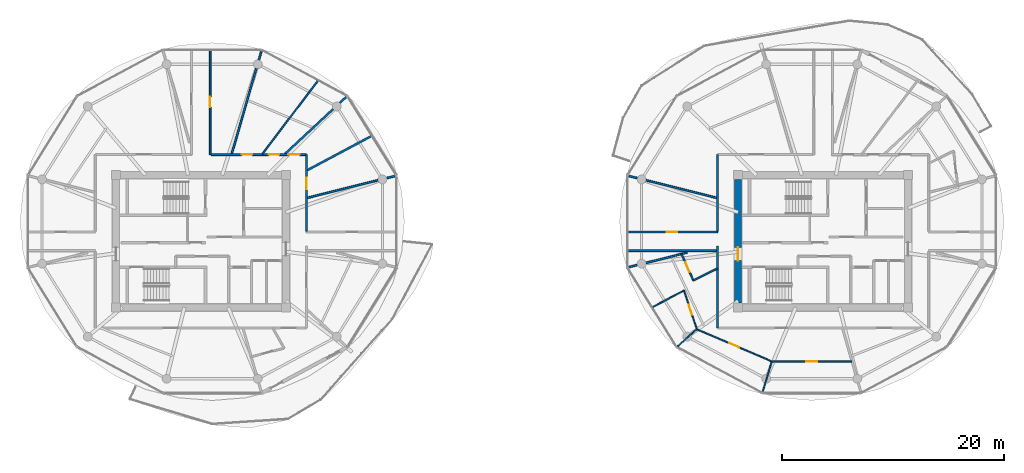
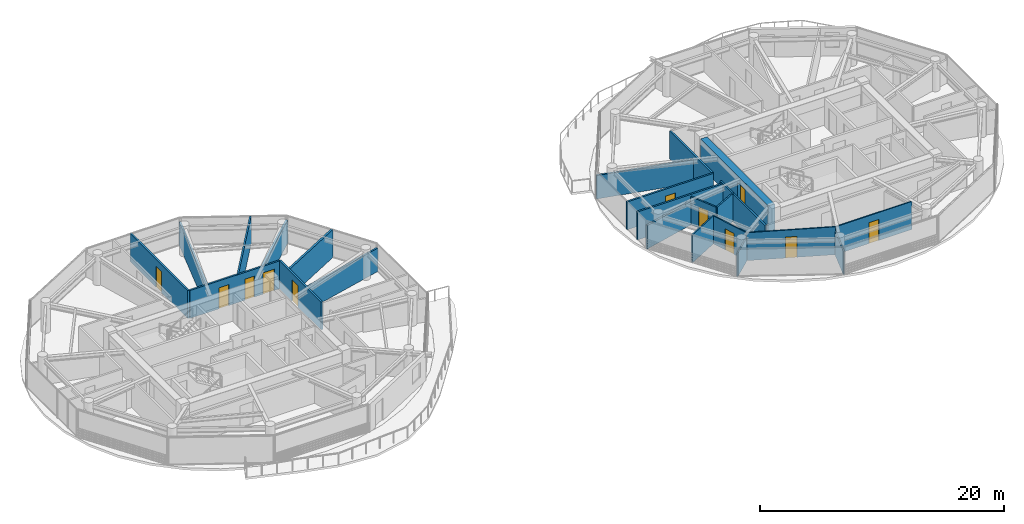
# One storey, part 14 of 22: 23 walls, 11 doors, 11 openings.
"""IFC4 building model written with IfcOpenShell, lengths in metres."""

from ifc_helpers import new_model, si_unit, direction, frame, frame_2d, origin, place, context, subcontext, project, spatial, rectangle, extrude, source, transform, mapped, material, layer, layer_set, type_object, type_shapes, element, fill, save


model = new_model("IFC4")

# Units and contexts
model_context = context("Model", 3, precision=1e-05, world=origin(), true_north=direction((0.0, 1.0)))
body_context = subcontext(model_context, "Body", "Model", "MODEL_VIEW")
ifc_project = project(units=[si_unit("LENGTHUNIT", "METRE"), si_unit("AREAUNIT", "SQUARE_METRE"), si_unit("VOLUMEUNIT", "CUBIC_METRE"), si_unit("PLANEANGLEUNIT", "RADIAN"), si_unit("MASSUNIT", "GRAM", prefix="KILO")], contexts=[model_context])

# Site, building, storey
site_placement = place(None, origin())
site = spatial("IfcSite", under=ifc_project, at=site_placement, CompositionType="ELEMENT")
building_placement = place(site_placement, origin())
building = spatial("IfcBuilding", under=site, at=building_placement, Name="Norrkilde Senior Care Towers", CompositionType="ELEMENT")
storey_placement = place(building_placement, frame((0.0, 0.0, 180.050048828125)))
storey = spatial("IfcBuildingStorey", under=building, at=storey_placement, Name="L56", CompositionType="ELEMENT", Elevation=180.050048828125)

# Wall, opening, door
ifc_material_1 = material(Name="Concrete C50/60", Category="concrete")
ifc_layer_1 = layer(ifc_material_1, 0.6201171875)
ifc_layer_set_1 = layer_set([ifc_layer_1], Name="Concrete C50/60")
wall_type_1 = type_object("IfcWallType", Name="Core Shear Wall Z3 620", PredefinedType="SHEAR", material=ifc_layer_set_1)
shared_shape_1 = source(origin(), body_context, "Body", "SweptSolid", [
    extrude(rectangle(XDim=11.10009765625, YDim=0.6201171875, at=frame_2d((5.550048828125, 0.0))), origin(), (0.0, 0.0, 1.0), 2.81005859375),
])
type_shapes(wall_type_1, [shared_shape_1])
wall_1_placement = place(storey_placement, frame((20.35009765625, -5.550048828125, 0.0), z_axis=(0.0, 0.0, 1.0), x_axis=(0.0, 1.0, 0.0)))
wall_1 = element("IfcWall", 1, at=wall_1_placement, inside=storey, type_object=wall_type_1, Name="L56 Core E West Shear Wall", PredefinedType="SHEAR", context=body_context, shape_type="MappedRepresentation", body=[
    mapped(shared_shape_1, transform((0.0, 0.0, 0.0), x_axis=(1.0, 0.0, 0.0), y_axis=(0.0, 1.0, 0.0), z_axis=(0.0, 0.0, 1.0), scale=1.0)),
])
opening_1_placement = place(wall_1_placement, frame((3.800048828125, 0.0, 0.0)))
opening_1 = element("IfcOpeningElement", 2, at=opening_1_placement, cuts=wall_1, Name="Opening D-04", PredefinedType="OPENING", context=body_context, shape_type="SweptSolid", body=[
    extrude(rectangle(XDim=1.199951171875, YDim=2.14990234375, at=frame_2d((0.60009765625, 1.074951171875))), frame((0.0, 0.320068359375, 0.0), z_axis=(0.0, -1.0, 0.0), x_axis=(1.0, 0.0, 0.0)), (0.0, 0.0, 1.0), 0.64013671875),
])
ifc_material_2 = material(Name="Galvanised Painted Steel", Category="steel")
door_type_1 = type_object("IfcDoorType", Name="Firefighting Lobby Fire Door 1200x2150", OperationType="NOTDEFINED", PredefinedType="DOOR", material=ifc_material_2)
shared_shape_2 = source(origin(), body_context, "Body", "SweptSolid", [
    extrude(rectangle(XDim=1.199951171875, YDim=2.14990234375, at=frame_2d((0.60009765625, 1.074951171875))), frame((0.0, 0.02490234375, 0.0), z_axis=(0.0, -1.0, 0.0), x_axis=(1.0, 0.0, 0.0)), (0.0, 0.0, 1.0), 0.050048828125),
])
type_shapes(door_type_1, [shared_shape_2])
door_1_placement = place(opening_1_placement, frame((1.199951171875, 0.0, 0.0), z_axis=(0.0, 0.0, 1.0), x_axis=(-1.0, 0.0, 0.0)))
door_1 = element("IfcDoor", 3, at=door_1_placement, inside=storey, type_object=door_type_1, Name="L56 Core E West Portal Door", OperationType="SINGLE_SWING_LEFT", OverallHeight=2.14990234375, OverallWidth=1.199951171875, PredefinedType="DOOR", context=body_context, shape_type="MappedRepresentation", body=[
    mapped(shared_shape_2, transform((0.0, 0.0, 0.0), x_axis=(1.0, 0.0, 0.0), y_axis=(0.0, 1.0, 0.0), z_axis=(0.0, 0.0, 1.0), scale=1.0)),
])
fill(opening_1, door_1)

# Walls
ifc_material_3 = material(Name="Gypsum Acoustic Board")
ifc_layer_2 = layer(ifc_material_3, 0.1650390625)
ifc_layer_set_2 = layer_set([ifc_layer_2], Name="Gypsum Acoustic Board")
wall_type_2 = type_object("IfcWallType", Name="Corridor Rated Partition 165", PredefinedType="PARTITIONING", material=ifc_layer_set_2)
shared_shape_3 = source(origin(), body_context, "Body", "SweptSolid", [
    extrude(rectangle(XDim=9.73046875, YDim=0.1650390625, at=frame_2d((4.865234375, 0.0))), origin(), (0.0, 0.0, 1.0), 2.344970703125),
])
wall_2_placement = place(storey_placement, frame((-25.216552734375, 7.8798828125, 0.0), z_axis=(0.0, 0.0, 1.0), x_axis=(0.27679492614, 0.960929013436, 0.0)))
element("IfcWall", 4, at=wall_2_placement, inside=storey, type_object=wall_type_2, Name="WL-INT-L56-W-DEM-02-0", PredefinedType="PARTITIONING", context=body_context, shape_type="MappedRepresentation", body=[
    mapped(shared_shape_3, transform((0.0, 0.0, 0.0), x_axis=(1.0, 0.0, 0.0), y_axis=(0.0, 1.0, 0.0), z_axis=(0.0, 0.0, 1.0), scale=1.0)),
])
ifc_layer_3 = layer(ifc_material_3, 0.18994140625)
ifc_layer_set_3 = layer_set([ifc_layer_3], Name="Gypsum Acoustic Board")
wall_type_3 = type_object("IfcWallType", Name="Unit Demising Acoustic Wall 190", PredefinedType="PARTITIONING", material=ifc_layer_set_3)
shared_shape_4 = source(origin(), body_context, "Body", "SweptSolid", [
    extrude(rectangle(XDim=7.648193359375, YDim=0.18994140625, at=frame_2d((3.82421875, 0.0))), origin(), (0.0, 0.0, 1.0), 2.344970703125),
])
wall_3_placement = place(storey_placement, frame((-20.41259765625, 7.8798828125, 0.0), z_axis=(0.0, 0.0, 1.0), x_axis=(0.732182665826, 0.681108320213, 0.0)))
element("IfcWall", 5, at=wall_3_placement, inside=storey, type_object=wall_type_3, Name="WL-INT-L56-W-DEM-01-0", PredefinedType="PARTITIONING", context=body_context, shape_type="MappedRepresentation", body=[
    mapped(shared_shape_4, transform((0.0, 0.0, 0.0), x_axis=(1.0, 0.0, 0.0), y_axis=(0.0, 1.0, 0.0), z_axis=(0.0, 0.0, 1.0), scale=1.0)),
])
ifc_layer_4 = layer(ifc_material_3, 0.139892578125)
ifc_layer_set_4 = layer_set([ifc_layer_4], Name="Gypsum Acoustic Board")
wall_type_4 = type_object("IfcWallType", Name="En-suite Wet Room Wall 140", PredefinedType="PARTITIONING", material=ifc_layer_set_4)
shared_shape_5 = source(origin(), body_context, "Body", "SweptSolid", [
    extrude(rectangle(XDim=2.402587890625, YDim=0.139892578125, at=frame_2d((1.201171875, 0.0))), origin(), (0.0, 0.0, 1.0), 2.794921875),
])
wall_4_placement = place(storey_placement, frame((18.469970703125, -2.455810546875, 0.0), z_axis=(0.0, 0.0, 1.0), x_axis=(-0.895339866084, -0.445383569748, 0.0)))
element("IfcWall", 6, at=wall_4_placement, inside=storey, type_object=wall_type_4, Name="WL-INT-L56-E-UBTS-06", PredefinedType="PARTITIONING", context=body_context, shape_type="MappedRepresentation", body=[
    mapped(shared_shape_5, transform((0.0, 0.0, 0.0), x_axis=(1.0, 0.0, 0.0), y_axis=(0.0, 1.0, 0.0), z_axis=(0.0, 0.0, 1.0), scale=1.0)),
])
shared_shape_6 = source(origin(), body_context, "Body", "SweptSolid", [
    extrude(rectangle(XDim=5.564453125, YDim=0.1650390625, at=frame_2d((2.7822265625, 0.0))), origin(), (0.0, 0.0, 1.0), 2.344970703125),
])
wall_5_placement = place(storey_placement, frame((15.76025390625, -1.02001953125, 0.0), z_axis=(0.0, 0.0, 1.0), x_axis=(-0.970315176167, -0.241843872984, 0.0)))
element("IfcWall", 7, at=wall_5_placement, inside=storey, type_object=wall_type_2, Name="WL-INT-L56-E-DEM-06-0", PredefinedType="PARTITIONING", context=body_context, shape_type="MappedRepresentation", body=[
    mapped(shared_shape_6, transform((0.0, 0.0, 0.0), x_axis=(1.0, 0.0, 0.0), y_axis=(0.0, 1.0, 0.0), z_axis=(0.0, 0.0, 1.0), scale=1.0)),
])
shared_shape_7 = source(origin(), body_context, "Body", "SweptSolid", [
    extrude(rectangle(XDim=8.305419921875, YDim=0.1650390625, at=frame_2d((4.15283203125, 0.0))), origin(), (0.0, 0.0, 1.0), 2.344970703125),
])
for number, where, z_axis, x_axis, name in (
    (8, (-18.419921875, 3.90771484375, 0.0), (0.0, 0.0, 1.0), (0.970309994378, 0.241864662175, 0.0), "WL-INT-L56-W-DEM-00-0"),
    (9, (18.419921875, 3.90771484375, 0.0), (0.0, 0.0, 1.0), (-0.970309994378, 0.241864662175, 0.0), "WL-INT-L56-E-DEM-05-0"),
):
    element("IfcWall", number, at=place(storey_placement, frame(where, z_axis=z_axis, x_axis=x_axis)), inside=storey, type_object=wall_type_2, Name=name, PredefinedType="PARTITIONING", context=body_context, shape_type="MappedRepresentation", body=[
        mapped(shared_shape_7, transform((0.0, 0.0, 0.0), x_axis=(1.0, 0.0, 0.0), y_axis=(0.0, 1.0, 0.0), z_axis=(0.0, 0.0, 1.0), scale=1.0)),
    ])

# Wall, openings, doors
shared_shape_8 = source(origin(), body_context, "Body", "SweptSolid", [
    extrude(rectangle(XDim=8.580078125, YDim=0.1650390625, at=frame_2d((4.2900390625, 0.0))), origin(), (0.0, 0.0, 1.0), 2.794921875),
])
wall_6_placement = place(storey_placement, frame((-27.080078125, 7.800048828125, 0.0), z_axis=(0.0, 0.0, 1.0), x_axis=(1.0, 0.0, 0.0)))
wall_6 = element("IfcWall", 10, at=wall_6_placement, inside=storey, type_object=wall_type_2, Name="WL-INT-L56-W-CRW-N-1", PredefinedType="PARTITIONING", context=body_context, shape_type="MappedRepresentation", body=[
    mapped(shared_shape_8, transform((0.0, 0.0, 0.0), x_axis=(1.0, 0.0, 0.0), y_axis=(0.0, 1.0, 0.0), z_axis=(0.0, 0.0, 1.0), scale=1.0)),
])
opening_2_placement = place(wall_6_placement, frame((6.93994140625, 0.0, 0.0)))
opening_2 = element("IfcOpeningElement", 11, at=opening_2_placement, cuts=wall_6, Name="Opening D-06", PredefinedType="OPENING", context=body_context, shape_type="SweptSolid", body=[
    extrude(rectangle(XDim=1.050048828125, YDim=2.14990234375, at=frame_2d((0.52490234375, 1.074951171875))), frame((0.0, 0.092529296875, 0.0), z_axis=(0.0, -1.0, 0.0), x_axis=(1.0, 0.0, 0.0)), (0.0, 0.0, 1.0), 0.18505859375),
])
opening_3_placement = place(wall_6_placement, frame((5.197265625, 0.0, 0.0)))
opening_3 = element("IfcOpeningElement", 12, at=opening_3_placement, cuts=wall_6, Name="Opening D-08", PredefinedType="OPENING", context=body_context, shape_type="SweptSolid", body=[
    extrude(rectangle(XDim=0.919921875, YDim=2.10009765625, at=frame_2d((0.4599609375, 1.050048828125))), frame((0.0, 0.092529296875, 0.0), z_axis=(0.0, -1.0, 0.0), x_axis=(1.0, 0.0, 0.0)), (0.0, 0.0, 1.0), 0.18505859375),
])
opening_4_placement = place(wall_6_placement, frame((2.777587890625, 0.0, 0.0)))
opening_4 = element("IfcOpeningElement", 13, at=opening_4_placement, cuts=wall_6, Name="Opening D-08", PredefinedType="OPENING", context=body_context, shape_type="SweptSolid", body=[
    extrude(rectangle(XDim=0.919921875, YDim=2.10009765625, at=frame_2d((0.4599609375, 1.050048828125))), frame((0.0, 0.092529296875, 0.0), z_axis=(0.0, -1.0, 0.0), x_axis=(1.0, 0.0, 0.0)), (0.0, 0.0, 1.0), 0.18505859375),
])
ifc_material_4 = material(Name="Nordic Ash Timber", Category="wood")
door_type_2 = type_object("IfcDoorType", Name="Accessible Wet Room Door 920x2100", OperationType="NOTDEFINED", PredefinedType="DOOR", material=ifc_material_4)
shared_shape_9 = source(origin(), body_context, "Body", "SweptSolid", [
    extrude(rectangle(XDim=0.919921875, YDim=2.10009765625, at=frame_2d((0.4599609375, 1.050048828125))), frame((0.0, 0.02490234375, 0.0), z_axis=(0.0, -1.0, 0.0), x_axis=(1.0, 0.0, 0.0)), (0.0, 0.0, 1.0), 0.050048828125),
])
type_shapes(door_type_2, [shared_shape_9])
door_2_placement = place(opening_3_placement, frame((0.919921875, 0.0, 0.0), z_axis=(0.0, 0.0, 1.0), x_axis=(-1.0, 0.0, 0.0)))
door_2 = element("IfcDoor", 14, at=door_2_placement, inside=storey, type_object=door_type_2, Name="L56 Accessible Restroom Door", OperationType="SINGLE_SWING_RIGHT", OverallHeight=2.10009765625, OverallWidth=0.919921875, PredefinedType="DOOR", context=body_context, shape_type="MappedRepresentation", body=[
    mapped(shared_shape_9, transform((0.0, 0.0, 0.0), x_axis=(1.0, 0.0, 0.0), y_axis=(0.0, 1.0, 0.0), z_axis=(0.0, 0.0, 1.0), scale=1.0)),
])
fill(opening_3, door_2)
door_3_placement = place(opening_4_placement, frame((0.919921875, 0.0, 0.0), z_axis=(0.0, 0.0, 1.0), x_axis=(-1.0, 0.0, 0.0)))
door_3 = element("IfcDoor", 15, at=door_3_placement, inside=storey, type_object=door_type_2, Name="L56 Public Restroom Door", OperationType="SINGLE_SWING_LEFT", OverallHeight=2.10009765625, OverallWidth=0.919921875, PredefinedType="DOOR", context=body_context, shape_type="MappedRepresentation", body=[
    mapped(shared_shape_9, transform((0.0, 0.0, 0.0), x_axis=(1.0, 0.0, 0.0), y_axis=(0.0, 1.0, 0.0), z_axis=(0.0, 0.0, 1.0), scale=1.0)),
])
fill(opening_4, door_3)
door_type_3 = type_object("IfcDoorType", Name="Apartment Entrance Fire Door 1050x2150", OperationType="NOTDEFINED", PredefinedType="DOOR", material=ifc_material_4)
shared_shape_10 = source(origin(), body_context, "Body", "SweptSolid", [
    extrude(rectangle(XDim=1.050048828125, YDim=2.14990234375, at=frame_2d((0.52490234375, 1.074951171875))), frame((0.0, 0.02490234375, 0.0), z_axis=(0.0, -1.0, 0.0), x_axis=(1.0, 0.0, 0.0)), (0.0, 0.0, 1.0), 0.050048828125),
])
type_shapes(door_type_3, [shared_shape_10])
door_4_placement = place(opening_2_placement, frame((1.050048828125, 0.0, 0.0), z_axis=(0.0, 0.0, 1.0), x_axis=(-1.0, 0.0, 0.0)))
door_4 = element("IfcDoor", 16, at=door_4_placement, inside=storey, type_object=door_type_3, Name="L56 Assessment Clinic 0B Door", OperationType="SINGLE_SWING_RIGHT", OverallHeight=2.14990234375, OverallWidth=1.050048828125, PredefinedType="DOOR", context=body_context, shape_type="MappedRepresentation", body=[
    mapped(shared_shape_10, transform((0.0, 0.0, 0.0), x_axis=(1.0, 0.0, 0.0), y_axis=(0.0, 1.0, 0.0), z_axis=(0.0, 0.0, 1.0), scale=1.0)),
])
fill(opening_2, door_4)

# Wall, opening, door
shared_shape_11 = source(origin(), body_context, "Body", "SweptSolid", [
    extrude(rectangle(XDim=6.880126953125, YDim=0.1650390625, at=frame_2d((3.43994140625, 0.0))), origin(), (0.0, 0.0, 1.0), 2.794921875),
])
wall_7_placement = place(storey_placement, frame((-18.5, 7.800048828125, 0.0), z_axis=(0.0, 0.0, 1.0), x_axis=(0.0, -1.0, 0.0)))
wall_7 = element("IfcWall", 17, at=wall_7_placement, inside=storey, type_object=wall_type_2, Name="WL-INT-L56-W-CRW-E-0", PredefinedType="PARTITIONING", context=body_context, shape_type="MappedRepresentation", body=[
    mapped(shared_shape_11, transform((0.0, 0.0, 0.0), x_axis=(1.0, 0.0, 0.0), y_axis=(0.0, 1.0, 0.0), z_axis=(0.0, 0.0, 1.0), scale=1.0)),
])
opening_5_placement = place(wall_7_placement, frame((2.080810546875, 0.0, 0.0)))
opening_5 = element("IfcOpeningElement", 18, at=opening_5_placement, cuts=wall_7, Name="Opening D-06", PredefinedType="OPENING", context=body_context, shape_type="SweptSolid", body=[
    extrude(rectangle(XDim=1.050048828125, YDim=2.14990234375, at=frame_2d((0.52490234375, 1.074951171875))), frame((0.0, 0.092529296875, 0.0), z_axis=(0.0, -1.0, 0.0), x_axis=(1.0, 0.0, 0.0)), (0.0, 0.0, 1.0), 0.18505859375),
])
door_5_placement = place(opening_5_placement, frame((1.050048828125, 0.0, 0.0), z_axis=(0.0, 0.0, 1.0), x_axis=(-1.0, 0.0, 0.0)))
door_5 = element("IfcDoor", 19, at=door_5_placement, inside=storey, type_object=door_type_3, Name="L56 Physiotherapy Clinic 0A Door", OperationType="SINGLE_SWING_LEFT", OverallHeight=2.14990234375, OverallWidth=1.050048828125, PredefinedType="DOOR", context=body_context, shape_type="MappedRepresentation", body=[
    mapped(shared_shape_10, transform((0.0, 0.0, 0.0), x_axis=(1.0, 0.0, 0.0), y_axis=(0.0, 1.0, 0.0), z_axis=(0.0, 0.0, 1.0), scale=1.0)),
])
fill(opening_5, door_5)

# Walls
wall_8_placement = place(storey_placement, frame((18.5, 0.919921875, 0.0), z_axis=(0.0, 0.0, 1.0), x_axis=(0.0, 1.0, 0.0)))
element("IfcWall", 20, at=wall_8_placement, inside=storey, type_object=wall_type_2, Name="WL-INT-L56-E-CRW-W-1", PredefinedType="PARTITIONING", context=body_context, shape_type="MappedRepresentation", body=[
    mapped(shared_shape_11, transform((0.0, 0.0, 0.0), x_axis=(1.0, 0.0, 0.0), y_axis=(0.0, 1.0, 0.0), z_axis=(0.0, 0.0, 1.0), scale=1.0)),
])
shared_shape_12 = source(origin(), body_context, "Body", "SweptSolid", [
    extrude(rectangle(XDim=7.364501953125, YDim=0.1650390625, at=frame_2d((3.68212890625, 0.0))), origin(), (0.0, 0.0, 1.0), 2.794921875),
])
wall_9_placement = place(storey_placement, frame((18.5, -7.800048828125, 0.0), z_axis=(0.0, 0.0, 1.0), x_axis=(0.0, 1.0, 0.0)))
element("IfcWall", 21, at=wall_9_placement, inside=storey, type_object=wall_type_2, Name="WL-INT-L56-E-CRW-W-0", PredefinedType="PARTITIONING", context=body_context, shape_type="MappedRepresentation", body=[
    mapped(shared_shape_12, transform((0.0, 0.0, 0.0), x_axis=(1.0, 0.0, 0.0), y_axis=(0.0, 1.0, 0.0), z_axis=(0.0, 0.0, 1.0), scale=1.0)),
])

# Wall, opening, door
shared_shape_13 = source(origin(), body_context, "Body", "SweptSolid", [
    extrude(rectangle(XDim=9.480224609375, YDim=0.1650390625, at=frame_2d((4.740234375, 0.0))), origin(), (0.0, 0.0, 1.0), 2.794921875),
])
wall_10_placement = place(storey_placement, frame((-27.159912109375, 17.2802734375, 0.0), z_axis=(0.0, 0.0, 1.0), x_axis=(0.0, -1.0, 0.0)))
wall_10 = element("IfcWall", 22, at=wall_10_placement, inside=storey, type_object=wall_type_2, Name="WL-INT-L56-W-SPK-N2-0", PredefinedType="PARTITIONING", context=body_context, shape_type="MappedRepresentation", body=[
    mapped(shared_shape_13, transform((0.0, 0.0, 0.0), x_axis=(1.0, 0.0, 0.0), y_axis=(0.0, 1.0, 0.0), z_axis=(0.0, 0.0, 1.0), scale=1.0)),
])
opening_6_placement = place(wall_10_placement, frame((4.26513671875, 0.0, 0.0)))
opening_6 = element("IfcOpeningElement", 23, at=opening_6_placement, cuts=wall_10, Name="Opening D-07", PredefinedType="OPENING", context=body_context, shape_type="SweptSolid", body=[
    extrude(rectangle(XDim=0.949951171875, YDim=2.10009765625, at=frame_2d((0.47509765625, 1.050048828125))), frame((0.0, 0.092529296875, 0.0), z_axis=(0.0, -1.0, 0.0), x_axis=(1.0, 0.0, 0.0)), (0.0, 0.0, 1.0), 0.18505859375),
])
door_type_4 = type_object("IfcDoorType", Name="Internal Suite Bedroom Door 950x2100", OperationType="NOTDEFINED", PredefinedType="DOOR", material=ifc_material_4)
shared_shape_14 = source(origin(), body_context, "Body", "SweptSolid", [
    extrude(rectangle(XDim=0.949951171875, YDim=2.10009765625, at=frame_2d((0.47509765625, 1.050048828125))), frame((0.0, 0.02490234375, 0.0), z_axis=(0.0, -1.0, 0.0), x_axis=(1.0, 0.0, 0.0)), (0.0, 0.0, 1.0), 0.050048828125),
])
type_shapes(door_type_4, [shared_shape_14])
door_6_placement = place(opening_6_placement, frame((0.949951171875, 0.0, 0.0), z_axis=(0.0, 0.0, 1.0), x_axis=(-1.0, 0.0, 0.0)))
door_6 = element("IfcDoor", 24, at=door_6_placement, inside=storey, type_object=door_type_4, Name="L56 Sun Reading Lounge 4 Door", OperationType="SINGLE_SWING_LEFT", OverallHeight=2.10009765625, OverallWidth=0.949951171875, PredefinedType="DOOR", context=body_context, shape_type="MappedRepresentation", body=[
    mapped(shared_shape_14, transform((0.0, 0.0, 0.0), x_axis=(1.0, 0.0, 0.0), y_axis=(0.0, 1.0, 0.0), z_axis=(0.0, 0.0, 1.0), scale=1.0)),
])
fill(opening_6, door_6)

shared_shape_15 = source(origin(), body_context, "Body", "SweptSolid", [
    extrude(rectangle(XDim=8.18896484375, YDim=0.1650390625, at=frame_2d((4.094482421875, 0.0))), origin(), (0.0, 0.0, 1.0), 2.794921875),
])
type_shapes(wall_type_2, [shared_shape_3, shared_shape_6, shared_shape_7, shared_shape_8, shared_shape_11, shared_shape_12, shared_shape_13, shared_shape_15])
wall_11_placement = place(storey_placement, frame((10.31103515625, 0.840087890625, 0.0), z_axis=(0.0, 0.0, 1.0), x_axis=(1.0, 0.0, 0.0)))
wall_11 = element("IfcWall", 25, at=wall_11_placement, inside=storey, type_object=wall_type_2, Name="WL-INT-L56-E-SPK-W1-0", PredefinedType="PARTITIONING", context=body_context, shape_type="MappedRepresentation", body=[
    mapped(shared_shape_15, transform((0.0, 0.0, 0.0), x_axis=(1.0, 0.0, 0.0), y_axis=(0.0, 1.0, 0.0), z_axis=(0.0, 0.0, 1.0), scale=1.0)),
])
opening_7_placement = place(wall_11_placement, frame((3.619384765625, 0.0, 0.0)))
opening_7 = element("IfcOpeningElement", 26, at=opening_7_placement, cuts=wall_11, Name="Opening D-07", PredefinedType="OPENING", context=body_context, shape_type="SweptSolid", body=[
    extrude(rectangle(XDim=0.949951171875, YDim=2.10009765625, at=frame_2d((0.47509765625, 1.050048828125))), frame((0.0, 0.092529296875, 0.0), z_axis=(0.0, -1.0, 0.0), x_axis=(1.0, 0.0, 0.0)), (0.0, 0.0, 1.0), 0.18505859375),
])
door_7_placement = place(opening_7_placement, frame((0.949951171875, 0.0, 0.0), z_axis=(0.0, 0.0, 1.0), x_axis=(-1.0, 0.0, 0.0)))
door_7 = element("IfcDoor", 27, at=door_7_placement, inside=storey, type_object=door_type_4, Name="L56 Sun Reading Lounge 2 Door", OperationType="SINGLE_SWING_LEFT", OverallHeight=2.10009765625, OverallWidth=0.949951171875, PredefinedType="DOOR", context=body_context, shape_type="MappedRepresentation", body=[
    mapped(shared_shape_14, transform((0.0, 0.0, 0.0), x_axis=(1.0, 0.0, 0.0), y_axis=(0.0, 1.0, 0.0), z_axis=(0.0, 0.0, 1.0), scale=1.0)),
])
fill(opening_7, door_7)

# Walls
wall_12_placement = place(storey_placement, frame((18.5, -0.840087890625, 0.0), z_axis=(0.0, 0.0, 1.0), x_axis=(-1.0, 0.0, 0.0)))
element("IfcWall", 28, at=wall_12_placement, inside=storey, type_object=wall_type_2, Name="WL-INT-L56-E-SPK-W2-0", PredefinedType="PARTITIONING", context=body_context, shape_type="MappedRepresentation", body=[
    mapped(shared_shape_15, transform((0.0, 0.0, 0.0), x_axis=(1.0, 0.0, 0.0), y_axis=(0.0, 1.0, 0.0), z_axis=(0.0, 0.0, 1.0), scale=1.0)),
])
shared_shape_16 = source(origin(), body_context, "Body", "SweptSolid", [
    extrude(rectangle(XDim=8.359375, YDim=0.139892578125, at=frame_2d((4.1796875, 0.0))), origin(), (0.0, 0.0, 1.0), 2.794921875),
])
wall_13_placement = place(storey_placement, frame((-22.477294921875, 7.830078125, 0.0), z_axis=(0.0, 0.0, 1.0), x_axis=(0.603265985309, 0.797540062297, 0.0)))
element("IfcWall", 29, at=wall_13_placement, inside=storey, type_object=wall_type_4, Name="WL-INT-L56-W-MID-01", PredefinedType="PARTITIONING", context=body_context, shape_type="MappedRepresentation", body=[
    mapped(shared_shape_16, transform((0.0, 0.0, 0.0), x_axis=(1.0, 0.0, 0.0), y_axis=(0.0, 1.0, 0.0), z_axis=(0.0, 0.0, 1.0), scale=1.0)),
])
shared_shape_17 = source(origin(), body_context, "Body", "SweptSolid", [
    extrude(rectangle(XDim=6.665283203125, YDim=0.18994140625, at=frame_2d((3.33251953125, 0.0))), origin(), (0.0, 0.0, 1.0), 2.794921875),
])
type_shapes(wall_type_3, [shared_shape_4, shared_shape_17])
wall_14_placement = place(storey_placement, frame((-18.469970703125, 6.36962890625, 0.0), z_axis=(0.0, 0.0, 1.0), x_axis=(0.88263769619, 0.470053930166, 0.0)))
element("IfcWall", 30, at=wall_14_placement, inside=storey, type_object=wall_type_3, Name="WL-INT-L56-W-MID-00", PredefinedType="PARTITIONING", context=body_context, shape_type="MappedRepresentation", body=[
    mapped(shared_shape_17, transform((0.0, 0.0, 0.0), x_axis=(1.0, 0.0, 0.0), y_axis=(0.0, 1.0, 0.0), z_axis=(0.0, 0.0, 1.0), scale=1.0)),
])

# Wall, opening, door
ifc_layer_5 = layer(ifc_material_3, 0.114990234375)
ifc_layer_set_5 = layer_set([ifc_layer_5], Name="Gypsum Acoustic Board")
wall_type_5 = type_object("IfcWallType", Name="Internal Room Partition 115", PredefinedType="PARTITIONING", material=ifc_layer_set_5)
shared_shape_18 = source(origin(), body_context, "Body", "SweptSolid", [
    extrude(rectangle(XDim=7.34375, YDim=0.114990234375, at=frame_2d((3.671875, 0.0))), origin(), (0.0, 0.0, 1.0), 2.794921875),
])
wall_15_placement = place(storey_placement, frame((16.623779296875, -7.90966796875, 0.0), z_axis=(0.0, 0.0, 1.0), x_axis=(0.918735287054, -0.3948739955, 0.0)))
wall_15 = element("IfcWall", 31, at=wall_15_placement, inside=storey, type_object=wall_type_5, Name="WL-INT-L56-E-UBC-06-1", PredefinedType="PARTITIONING", context=body_context, shape_type="MappedRepresentation", body=[
    mapped(shared_shape_18, transform((0.0, 0.0, 0.0), x_axis=(1.0, 0.0, 0.0), y_axis=(0.0, 1.0, 0.0), z_axis=(0.0, 0.0, 1.0), scale=1.0)),
])
opening_8_placement = place(wall_15_placement, frame((3.197021484375, 0.0, 0.0)))
opening_8 = element("IfcOpeningElement", 32, at=opening_8_placement, cuts=wall_15, Name="Opening D-07", PredefinedType="OPENING", context=body_context, shape_type="SweptSolid", body=[
    extrude(rectangle(XDim=0.949951171875, YDim=2.10009765625, at=frame_2d((0.47509765625, 1.050048828125))), frame((0.0, 0.0673828125, 0.0), z_axis=(0.0, -1.0, 0.0), x_axis=(1.0, 0.0, 0.0)), (0.0, 0.0, 1.0), 0.135009765625),
])
door_8_placement = place(opening_8_placement, origin())
door_8 = element("IfcDoor", 33, at=door_8_placement, inside=storey, type_object=door_type_4, Name="Apartment 56D Bedroom 1 Door", OperationType="SINGLE_SWING_RIGHT", OverallHeight=2.10009765625, OverallWidth=0.949951171875, PredefinedType="DOOR", context=body_context, shape_type="MappedRepresentation", body=[
    mapped(shared_shape_14, transform((0.0, 0.0, 0.0), x_axis=(1.0, 0.0, 0.0), y_axis=(0.0, 1.0, 0.0), z_axis=(0.0, 0.0, 1.0), scale=1.0)),
])
fill(opening_8, door_8)

# Wall
shared_shape_19 = source(origin(), body_context, "Body", "SweptSolid", [
    extrude(rectangle(XDim=2.435546875, YDim=0.114990234375, at=frame_2d((1.2177734375, 0.0))), origin(), (0.0, 0.0, 1.0), 2.344970703125),
])
wall_16_placement = place(storey_placement, frame((16.623779296875, -7.90966796875, 0.0), z_axis=(0.0, 0.0, 1.0), x_axis=(-0.743553265121, -0.668676709575, 0.0)))
element("IfcWall", 34, at=wall_16_placement, inside=storey, type_object=wall_type_5, Name="WL-INT-L56-E-UBR-06-1", PredefinedType="PARTITIONING", context=body_context, shape_type="MappedRepresentation", body=[
    mapped(shared_shape_19, transform((0.0, 0.0, 0.0), x_axis=(1.0, 0.0, 0.0), y_axis=(0.0, 1.0, 0.0), z_axis=(0.0, 0.0, 1.0), scale=1.0)),
])

# Wall, opening, door
shared_shape_20 = source(origin(), body_context, "Body", "SweptSolid", [
    extrude(rectangle(XDim=7.206787109375, YDim=0.114990234375, at=frame_2d((3.603515625, 0.0))), origin(), (0.0, 0.0, 1.0), 2.794921875),
])
wall_17_placement = place(storey_placement, frame((23.37158203125, -10.806884765625, 0.0), z_axis=(0.0, 0.0, 1.0), x_axis=(1.0, 0.0, 0.0)))
wall_17 = element("IfcWall", 35, at=wall_17_placement, inside=storey, type_object=wall_type_5, Name="WL-INT-L56-E-UBC-06-2", PredefinedType="PARTITIONING", context=body_context, shape_type="MappedRepresentation", body=[
    mapped(shared_shape_20, transform((0.0, 0.0, 0.0), x_axis=(1.0, 0.0, 0.0), y_axis=(0.0, 1.0, 0.0), z_axis=(0.0, 0.0, 1.0), scale=1.0)),
])
opening_9_placement = place(wall_17_placement, frame((3.12841796875, 0.0, 0.0)))
opening_9 = element("IfcOpeningElement", 36, at=opening_9_placement, cuts=wall_17, Name="Opening D-07", PredefinedType="OPENING", context=body_context, shape_type="SweptSolid", body=[
    extrude(rectangle(XDim=0.949951171875, YDim=2.10009765625, at=frame_2d((0.47509765625, 1.050048828125))), frame((0.0, 0.0673828125, 0.0), z_axis=(0.0, -1.0, 0.0), x_axis=(1.0, 0.0, 0.0)), (0.0, 0.0, 1.0), 0.135009765625),
])
door_9_placement = place(opening_9_placement, frame((0.949951171875, 0.0, 0.0), z_axis=(0.0, 0.0, 1.0), x_axis=(-1.0, 0.0, 0.0)))
door_9 = element("IfcDoor", 37, at=door_9_placement, inside=storey, type_object=door_type_4, Name="Apartment 56D Bedroom 2 Door", OperationType="SINGLE_SWING_LEFT", OverallHeight=2.10009765625, OverallWidth=0.949951171875, PredefinedType="DOOR", context=body_context, shape_type="MappedRepresentation", body=[
    mapped(shared_shape_14, transform((0.0, 0.0, 0.0), x_axis=(1.0, 0.0, 0.0), y_axis=(0.0, 1.0, 0.0), z_axis=(0.0, 0.0, 1.0), scale=1.0)),
])
fill(opening_9, door_9)

# Wall
shared_shape_21 = source(origin(), body_context, "Body", "SweptSolid", [
    extrude(rectangle(XDim=2.9951171875, YDim=0.114990234375, at=frame_2d((1.49755859375, 0.0))), origin(), (0.0, 0.0, 1.0), 2.344970703125),
])
wall_18_placement = place(storey_placement, frame((23.37158203125, -10.806884765625, 0.0), z_axis=(0.0, 0.0, 1.0), x_axis=(-0.283247320714, -0.959046899431, 0.0)))
element("IfcWall", 38, at=wall_18_placement, inside=storey, type_object=wall_type_5, Name="WL-INT-L56-E-UBR-06-2", PredefinedType="PARTITIONING", context=body_context, shape_type="MappedRepresentation", body=[
    mapped(shared_shape_21, transform((0.0, 0.0, 0.0), x_axis=(1.0, 0.0, 0.0), y_axis=(0.0, 1.0, 0.0), z_axis=(0.0, 0.0, 1.0), scale=1.0)),
])

# Wall, opening, door
shared_shape_22 = source(origin(), body_context, "Body", "SweptSolid", [
    extrude(rectangle(XDim=2.6064453125, YDim=0.139892578125, at=frame_2d((1.30322265625, 0.0))), origin(), (0.0, 0.0, 1.0), 2.794921875),
])
type_shapes(wall_type_4, [shared_shape_5, shared_shape_16, shared_shape_22])
wall_19_placement = place(storey_placement, frame((16.31884765625, -3.52587890625, 0.0), z_axis=(0.0, 0.0, 1.0), x_axis=(-0.405599540311, 0.914050880914, 0.0)))
wall_19 = element("IfcWall", 39, at=wall_19_placement, inside=storey, type_object=wall_type_4, Name="WL-INT-L56-E-UBTF-06", PredefinedType="PARTITIONING", context=body_context, shape_type="MappedRepresentation", body=[
    mapped(shared_shape_22, transform((0.0, 0.0, 0.0), x_axis=(1.0, 0.0, 0.0), y_axis=(0.0, 1.0, 0.0), z_axis=(0.0, 0.0, 1.0), scale=1.0)),
])
opening_10_placement = place(wall_19_placement, frame((0.84326171875, 0.0, 0.0)))
opening_10 = element("IfcOpeningElement", 40, at=opening_10_placement, cuts=wall_19, Name="Opening D-08", PredefinedType="OPENING", context=body_context, shape_type="SweptSolid", body=[
    extrude(rectangle(XDim=0.919921875, YDim=2.10009765625, at=frame_2d((0.4599609375, 1.050048828125))), frame((0.0, 0.079833984375, 0.0), z_axis=(0.0, -1.0, 0.0), x_axis=(1.0, 0.0, 0.0)), (0.0, 0.0, 1.0), 0.159912109375),
])
door_10_placement = place(opening_10_placement, origin())
door_10 = element("IfcDoor", 41, at=door_10_placement, inside=storey, type_object=door_type_2, Name="Apartment 56D Bathroom Door", OperationType="SINGLE_SWING_RIGHT", OverallHeight=2.10009765625, OverallWidth=0.919921875, PredefinedType="DOOR", context=body_context, shape_type="MappedRepresentation", body=[
    mapped(shared_shape_9, transform((0.0, 0.0, 0.0), x_axis=(1.0, 0.0, 0.0), y_axis=(0.0, 1.0, 0.0), z_axis=(0.0, 0.0, 1.0), scale=1.0)),
])
fill(opening_10, door_10)

# Wall
shared_shape_23 = source(origin(), body_context, "Body", "SweptSolid", [
    extrude(rectangle(XDim=3.271728515625, YDim=0.114990234375, at=frame_2d((1.6357421875, 0.0))), origin(), (0.0, 0.0, 1.0), 2.794921875),
])
wall_20_placement = place(storey_placement, frame((15.48388671875, -4.431884765625, 0.0), z_axis=(0.0, 0.0, 1.0), x_axis=(-0.885479276486, -0.464678868589, 0.0)))
element("IfcWall", 42, at=wall_20_placement, inside=storey, type_object=wall_type_5, Name="WL-INT-L56-E-UKTS-06", PredefinedType="PARTITIONING", context=body_context, shape_type="MappedRepresentation", body=[
    mapped(shared_shape_23, transform((0.0, 0.0, 0.0), x_axis=(1.0, 0.0, 0.0), y_axis=(0.0, 1.0, 0.0), z_axis=(0.0, 0.0, 1.0), scale=1.0)),
])

# Wall, opening, door
shared_shape_24 = source(origin(), body_context, "Body", "SweptSolid", [
    extrude(rectangle(XDim=3.65576171875, YDim=0.114990234375, at=frame_2d((1.827880859375, 0.0))), origin(), (0.0, 0.0, 1.0), 2.794921875),
])
type_shapes(wall_type_5, [shared_shape_18, shared_shape_19, shared_shape_20, shared_shape_21, shared_shape_23, shared_shape_24])
wall_21_placement = place(storey_placement, frame((15.48388671875, -4.431884765625, 0.0), z_axis=(0.0, 0.0, 1.0), x_axis=(0.313602075194, -0.949554494715, 0.0)))
wall_21 = element("IfcWall", 43, at=wall_21_placement, inside=storey, type_object=wall_type_5, Name="WL-INT-L56-E-UKTF-06", PredefinedType="PARTITIONING", context=body_context, shape_type="MappedRepresentation", body=[
    mapped(shared_shape_24, transform((0.0, 0.0, 0.0), x_axis=(1.0, 0.0, 0.0), y_axis=(0.0, 1.0, 0.0), z_axis=(0.0, 0.0, 1.0), scale=1.0)),
])
opening_11_placement = place(wall_21_placement, frame((1.352783203125, 0.0, 0.0)))
opening_11 = element("IfcOpeningElement", 44, at=opening_11_placement, cuts=wall_21, Name="Opening D-07", PredefinedType="OPENING", context=body_context, shape_type="SweptSolid", body=[
    extrude(rectangle(XDim=0.949951171875, YDim=2.10009765625, at=frame_2d((0.47509765625, 1.050048828125))), frame((0.0, 0.0673828125, 0.0), z_axis=(0.0, -1.0, 0.0), x_axis=(1.0, 0.0, 0.0)), (0.0, 0.0, 1.0), 0.135009765625),
])
door_11_placement = place(opening_11_placement, frame((0.949951171875, 0.0, 0.0), z_axis=(0.0, 0.0, 1.0), x_axis=(-1.0, 0.0, 0.0)))
door_11 = element("IfcDoor", 45, at=door_11_placement, inside=storey, type_object=door_type_4, Name="Apartment 56D Kitchen Door", OperationType="SINGLE_SWING_LEFT", OverallHeight=2.10009765625, OverallWidth=0.949951171875, PredefinedType="DOOR", context=body_context, shape_type="MappedRepresentation", body=[
    mapped(shared_shape_14, transform((0.0, 0.0, 0.0), x_axis=(1.0, 0.0, 0.0), y_axis=(0.0, 1.0, 0.0), z_axis=(0.0, 0.0, 1.0), scale=1.0)),
])
fill(opening_11, door_11)

save(model, "model.ifc")
